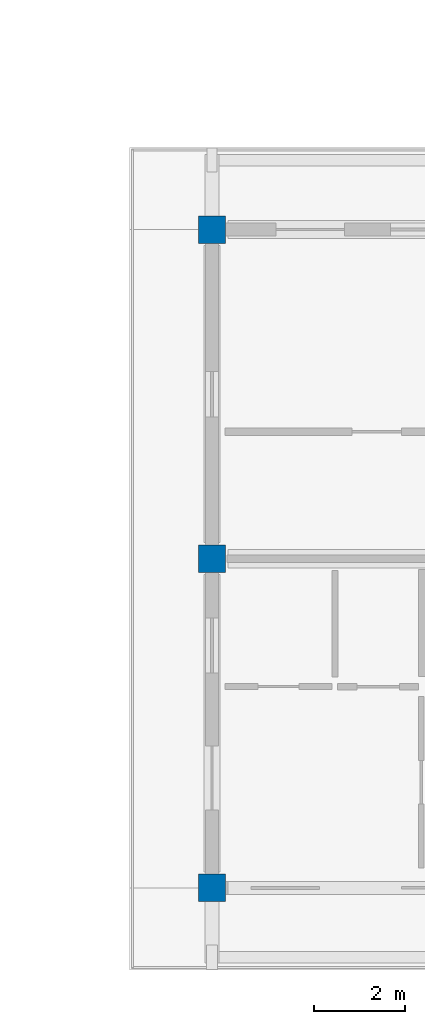
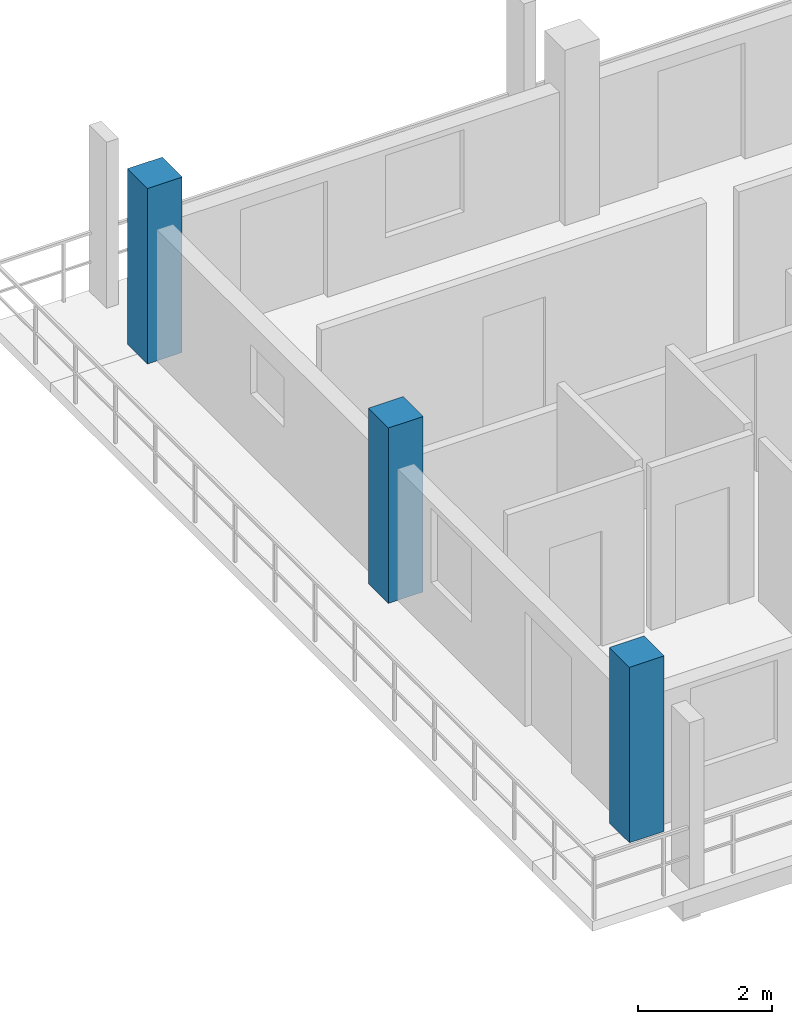
# One storey, part 4 of 157: 3 columns.
"""IFC4 building model written with IfcOpenShell, lengths in metres."""

from ifc_helpers import new_model, si_unit, direction, frame, origin, origin_2d, place, context, subcontext, project, spatial, rectangle, extrude, material, material_profile, profile_set, type_object, element, save


model = new_model("IFC4")

# Units and contexts
model_context = context("Model", 3, precision=1e-05, world=origin(), true_north=direction((0.0, 1.0)))
body_context = subcontext(model_context, "Body", "Model", "MODEL_VIEW")
ifc_project = project(units=[si_unit("LENGTHUNIT", "METRE"), si_unit("AREAUNIT", "SQUARE_METRE"), si_unit("VOLUMEUNIT", "CUBIC_METRE"), si_unit("PLANEANGLEUNIT", "RADIAN"), si_unit("MASSUNIT", "GRAM", prefix="KILO")], contexts=[model_context])

# Site, building, storey
site_placement = place(None, origin())
site = spatial("IfcSite", under=ifc_project, at=site_placement, CompositionType="ELEMENT")
building_placement = place(site_placement, origin())
building = spatial("IfcBuilding", under=site, at=building_placement, Name="Suanplinth Sawtooth Commons", CompositionType="ELEMENT")
storey_placement = place(building_placement, frame((0.0, 0.0, 9.0)))
storey = spatial("IfcBuildingStorey", under=building, at=storey_placement, Name="L02", CompositionType="ELEMENT", Elevation=9.0)

# Columns
ifc_material = material(Name="Precast concrete C40/50", Category="concrete")
ifc_material_profile = material_profile(ifc_material, rectangle(XDim=0.60009765625, YDim=0.60009765625, at=origin_2d()), Name="PC-COL 600x600")
ifc_profile_set = profile_set([ifc_material_profile], Name="Precast concrete C40/50")
column_type = type_object("IfcColumnType", Name="C-04", PredefinedType="COLUMN", material=ifc_profile_set)
for number, where, z_axis, x_axis, name in (
    (1, (122.39990234375, 0.0, 0.0), (0.0, 0.0, 1.0), (1.0, 0.0, 0.0), "Column L02 18/A"),
    (2, (122.39990234375, 7.199951171875, 0.0), (0.0, 0.0, 1.0), (1.0, 0.0, 0.0), "Column L02 18/B"),
    (3, (122.39990234375, 14.39990234375, 0.0), (0.0, 0.0, 1.0), (1.0, 0.0, 0.0), "Column L02 18/C"),
):
    element("IfcColumn", number, at=place(storey_placement, frame(where, z_axis=z_axis, x_axis=x_axis)), inside=storey, type_object=column_type, Name=name, PredefinedType="COLUMN", context=body_context, shape_type="SweptSolid", body=[
        extrude(rectangle(XDim=0.60009765625, YDim=0.60009765625, at=origin_2d()), origin(), (0.0, 0.0, 1.0), 3.199951171875),
    ])

save(model, "model.ifc")
